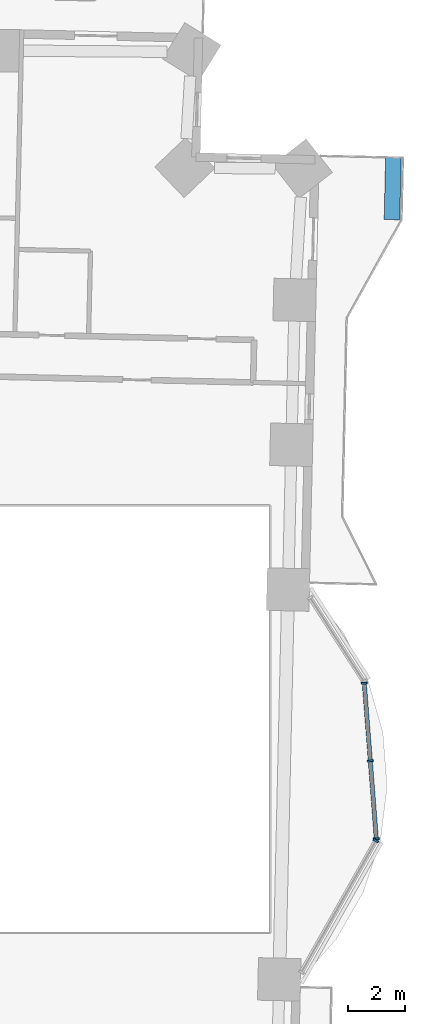
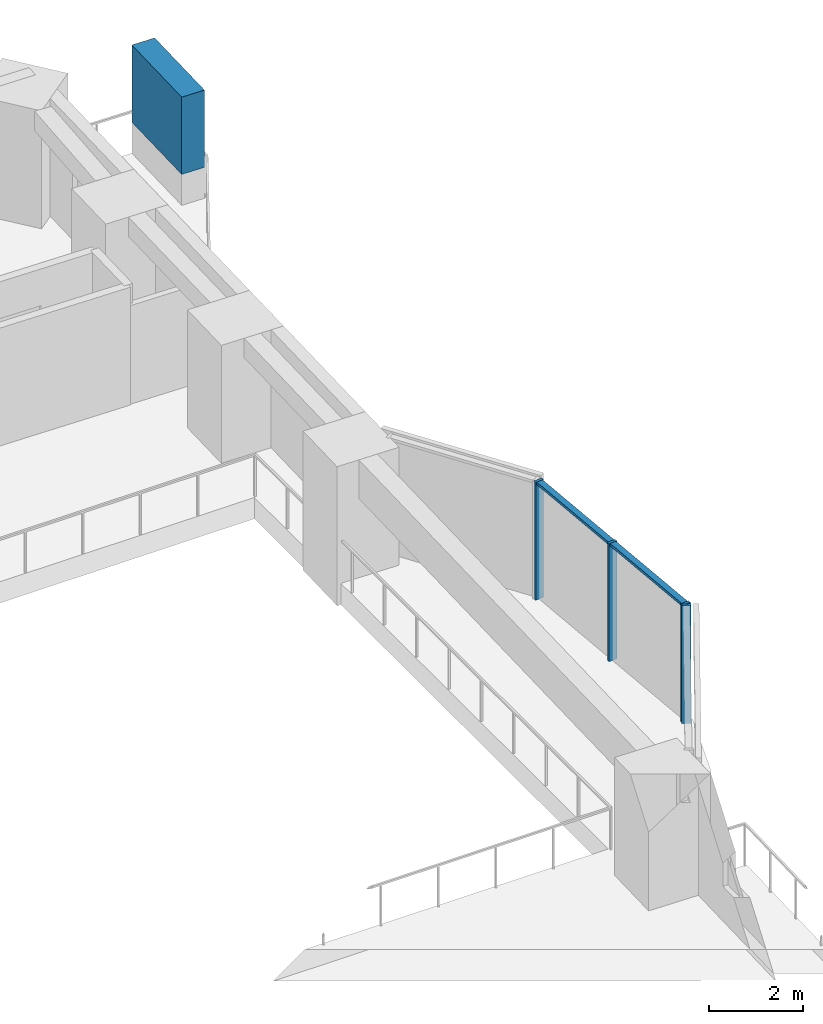
# One storey, part 6 of 20: 7 members, 2 elements without a shape of their own.
"""IFC4 building model written with IfcOpenShell, lengths in metres."""

from ifc_helpers import new_model, si_unit, direction, frame, origin, origin_2d, place, context, subcontext, project, spatial, rectangle, extrude, material, material_profile, profile_set, type_object, element, aggregate, save


model = new_model("IFC4")

# Units and contexts
model_context = context("Model", 3, precision=1e-05, world=origin(), true_north=direction((0.0, 1.0)))
body_context = subcontext(model_context, "Body", "Model", "MODEL_VIEW")
ifc_project = project(units=[si_unit("LENGTHUNIT", "METRE"), si_unit("AREAUNIT", "SQUARE_METRE"), si_unit("VOLUMEUNIT", "CUBIC_METRE"), si_unit("PLANEANGLEUNIT", "RADIAN"), si_unit("MASSUNIT", "GRAM", prefix="KILO")], contexts=[model_context])

# Site, building, storey
site_placement = place(None, origin())
site = spatial("IfcSite", under=ifc_project, at=site_placement, CompositionType="ELEMENT")
building_placement = place(site_placement, origin())
building = spatial("IfcBuilding", under=site, at=building_placement, Name="Mangrove Gate Tower", CompositionType="ELEMENT")
storey_placement = place(building_placement, frame((0.0, 0.0, 60.300048828125)))
storey = spatial("IfcBuildingStorey", under=building, at=storey_placement, Name="L14", CompositionType="ELEMENT", Elevation=60.300048828125)

# Curtain wall, member
ifc_material_1 = material(Name="Aluminium and glass curtain wall", Category="aluminium")
curtain_wall_type = type_object("IfcCurtainWallType", Name="Atrium garden-court glazing wall", PredefinedType="NOTDEFINED", material=ifc_material_1)
curtain_wall_1_placement = place(storey_placement, origin())
curtain_wall_1 = element("IfcCurtainWall", 1, at=curtain_wall_1_placement, inside=storey, type_object=curtain_wall_type, Name="Atrium garden-court glazing E1f1", PredefinedType="NOTDEFINED")
ifc_material_2 = material(Name="Aluminium alloy 6063-T6", Category="aluminium")
ifc_material_profile_1 = material_profile(ifc_material_2, rectangle(XDim=0.070068359375, YDim=0.199951171875, at=origin_2d()))
ifc_profile_set_1 = profile_set([ifc_material_profile_1], Name="Aluminium alloy 6063-T6")
member_type_1 = type_object("IfcMemberType", Name="Atrium garden-court glazing mullion 70x200", PredefinedType="MULLION", material=ifc_profile_set_1)
member_1_placement = place(storey_placement, frame((33.66162109375, -4.2822265625, 0.0), z_axis=(0.0, 0.0, 1.0), x_axis=(0.492603686489, 0.870253760726, 0.0)))
member_1 = element("IfcMember", 2, at=member_1_placement, type_object=member_type_1, Name="CWA mullion 2", PredefinedType="MULLION", context=body_context, shape_type="SweptSolid", body=[
    extrude(rectangle(XDim=0.070068359375, YDim=0.199951171875, at=origin_2d()), origin(), (0.0, 0.0, 1.0), 3.050048828125),
])
aggregate(curtain_wall_1, [member_1])

# Curtain wall, members
curtain_wall_2_placement = place(storey_placement, origin())
curtain_wall_2 = element("IfcCurtainWall", 3, at=curtain_wall_2_placement, inside=storey, type_object=curtain_wall_type, Name="Atrium garden-court glazing E1f2", PredefinedType="NOTDEFINED")
member_2_placement = place(storey_placement, frame((33.67626953125, -4.217041015625, 0.0), z_axis=(0.0, 0.0, 1.0), x_axis=(-0.077023348212, 0.997029289354, 0.0)))
member_2 = element("IfcMember", 4, at=member_2_placement, type_object=member_type_1, Name="CWA mullion 1", PredefinedType="MULLION", context=body_context, shape_type="SweptSolid", body=[
    extrude(rectangle(XDim=0.070068359375, YDim=0.199951171875, at=origin_2d()), origin(), (0.0, 0.0, 1.0), 3.050048828125),
])
member_3_placement = place(storey_placement, frame((33.46435546875, -1.473388671875, 0.0), z_axis=(0.0, 0.0, 1.0), x_axis=(-0.077023348212, 0.997029289354, 0.0)))
member_3 = element("IfcMember", 5, at=member_3_placement, type_object=member_type_1, Name="CWA mullion 2", PredefinedType="MULLION", context=body_context, shape_type="SweptSolid", body=[
    extrude(rectangle(XDim=0.070068359375, YDim=0.199951171875, at=origin_2d()), origin(), (0.0, 0.0, 1.0), 3.050048828125),
])
member_4_placement = place(storey_placement, frame((33.25244140625, 1.270263671875, 0.0), z_axis=(0.0, 0.0, 1.0), x_axis=(-0.077023348212, 0.997029289354, 0.0)))
member_4 = element("IfcMember", 6, at=member_4_placement, type_object=member_type_1, Name="CWA mullion 3", PredefinedType="MULLION", context=body_context, shape_type="SweptSolid", body=[
    extrude(rectangle(XDim=0.070068359375, YDim=0.199951171875, at=origin_2d()), origin(), (0.0, 0.0, 1.0), 3.050048828125),
])
ifc_material_3 = material(Name="Aluminium alloy 6063-T6", Category="aluminium")
ifc_material_profile_2 = material_profile(ifc_material_3, rectangle(XDim=0.070068359375, YDim=0.14990234375, at=origin_2d()))
ifc_profile_set_2 = profile_set([ifc_material_profile_2], Name="Aluminium alloy 6063-T6")
member_type_2 = type_object("IfcMemberType", Name="Atrium garden-court glazing transom 70x150", PredefinedType="USERDEFINED", material=ifc_profile_set_2)
member_5_placement = place(storey_placement, frame((33.673583984375, -4.18212890625, 3.014892578125), z_axis=(-0.07701672858, 0.997029800718, 0.0), x_axis=(0.0, 0.0, 1.0)))
member_5 = element("IfcMember", 7, at=member_5_placement, type_object=member_type_2, Name="CWA transom 1.2", ObjectType="TRANSOM", PredefinedType="USERDEFINED", context=body_context, shape_type="SweptSolid", body=[
    extrude(rectangle(XDim=0.070068359375, YDim=0.14990234375, at=origin_2d()), origin(), (0.0, 0.0, 1.0), 2.681884765625),
])
member_6_placement = place(storey_placement, frame((33.461669921875, -1.4384765625, 3.014892578125), z_axis=(-0.07701672858, 0.997029800718, 0.0), x_axis=(0.0, 0.0, 1.0)))
member_6 = element("IfcMember", 8, at=member_6_placement, type_object=member_type_2, Name="CWA transom 2.2", ObjectType="TRANSOM", PredefinedType="USERDEFINED", context=body_context, shape_type="SweptSolid", body=[
    extrude(rectangle(XDim=0.070068359375, YDim=0.14990234375, at=origin_2d()), origin(), (0.0, 0.0, 1.0), 2.681884765625),
])
aggregate(curtain_wall_2, [member_2, member_3, member_4, member_5, member_6])

# Member
ifc_material_4 = material(Name="Planting on aluminium trellis", Category="aluminium")
ifc_material_profile_3 = material_profile(ifc_material_4, rectangle(XDim=0.550048828125, YDim=2.0, at=origin_2d()))
ifc_profile_set_3 = profile_set([ifc_material_profile_3], Name="Planting on aluminium trellis")
member_type_3 = type_object("IfcMemberType", Name="Balcony greenery screen 550x2000", PredefinedType="USERDEFINED", material=ifc_profile_set_3)
member_7_placement = place(storey_placement, frame((34.22802734375, 17.614013671875, 1.800048828125), z_axis=(0.022744087289, 0.999741319789, 0.0), x_axis=(-0.999741319789, 0.022744087289, 0.0)))
element("IfcMember", 9, at=member_7_placement, inside=storey, type_object=member_type_3, Name="GREEN SCREEN L14 E1.1", ObjectType="PLANTING", PredefinedType="USERDEFINED", context=body_context, shape_type="SweptSolid", body=[
    extrude(rectangle(XDim=0.550048828125, YDim=2.0, at=origin_2d()), origin(), (0.0, 0.0, 1.0), 2.200439453125),
])

save(model, "model.ifc")
